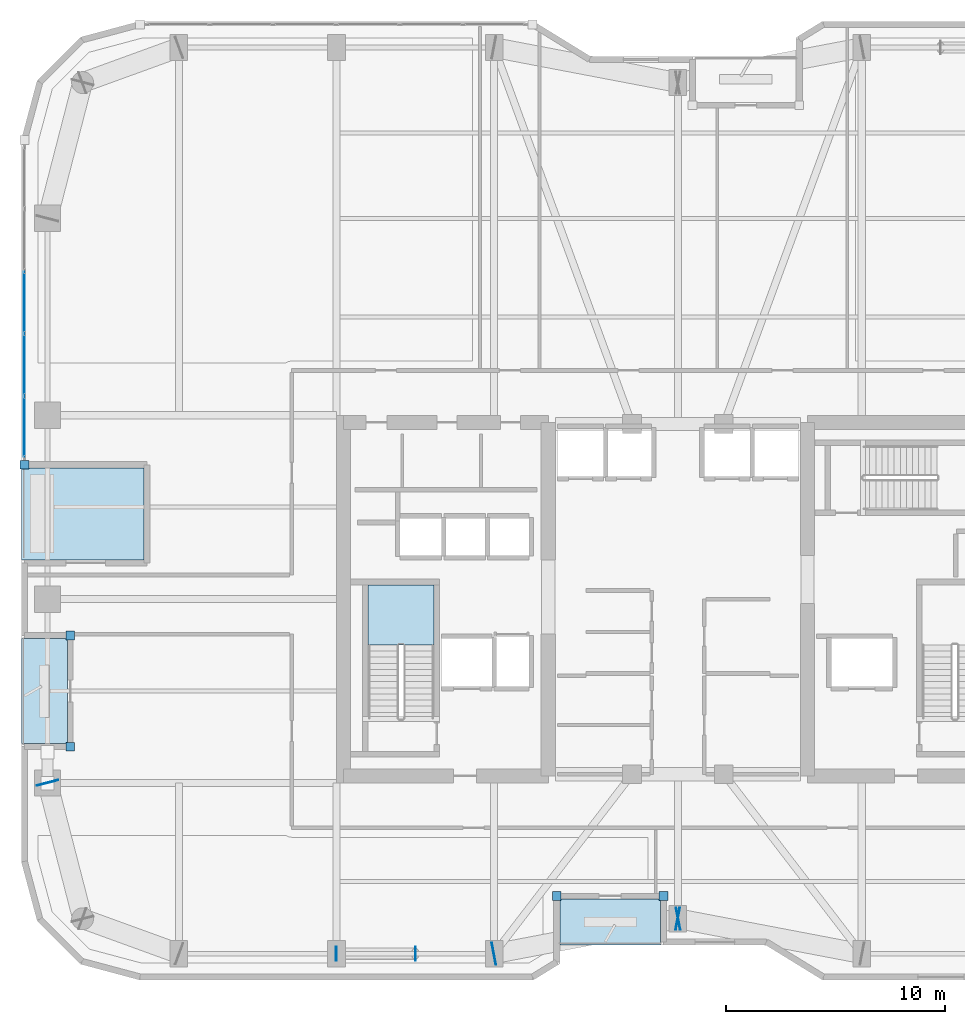
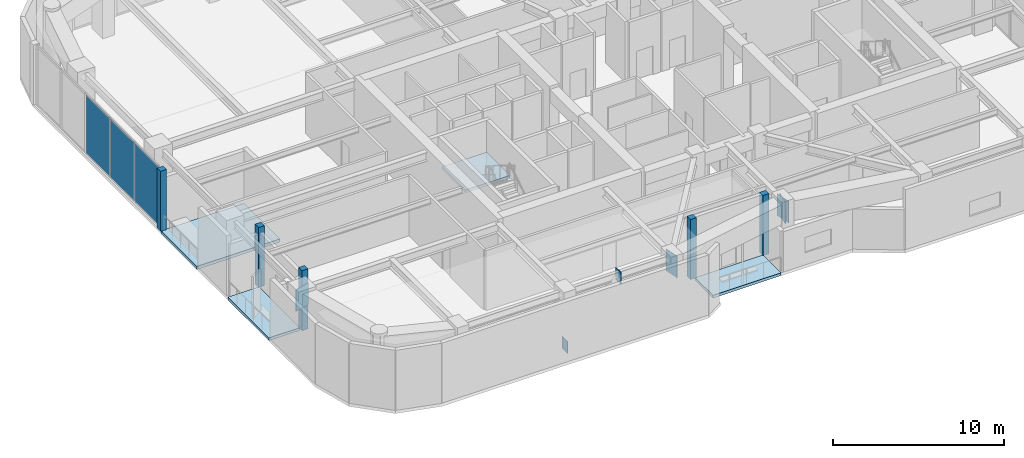
# One storey, part 12 of 21: 14 plates, 4 slabs, 2 elements without a shape of their own.
"""IFC4 building model written with IfcOpenShell, lengths in metres."""

from ifc_helpers import new_model, si_unit, direction, frame, origin, origin_2d, place, context, subcontext, project, spatial, polyline, rectangle, outline, extrude, material, layer, layer_set, type_object, element, aggregate, save


model = new_model("IFC4")

# Units and contexts
model_context = context("Model", 3, precision=1e-05, world=origin(), true_north=direction((0.0, 1.0)))
body_context = subcontext(model_context, "Body", "Model", "MODEL_VIEW")
ifc_project = project(units=[si_unit("LENGTHUNIT", "METRE"), si_unit("AREAUNIT", "SQUARE_METRE"), si_unit("VOLUMEUNIT", "CUBIC_METRE"), si_unit("PLANEANGLEUNIT", "RADIAN"), si_unit("MASSUNIT", "GRAM", prefix="KILO")], contexts=[model_context])

# Site, building, storey
site_placement = place(None, origin())
site = spatial("IfcSite", under=ifc_project, at=site_placement, CompositionType="ELEMENT")
building_placement = place(site_placement, origin())
building = spatial("IfcBuilding", under=site, at=building_placement, Name="Kiyonajd Concourse Tower", CompositionType="ELEMENT")
storey_placement = place(building_placement, frame((0.0, 0.0, 181.800048828125)))
storey = spatial("IfcBuildingStorey", under=building, at=storey_placement, Name="L46", CompositionType="ELEMENT", Elevation=181.800048828125)

# Plates
ifc_material_1 = material(Name="Steel ASTM A572 Grade 50", Category="steel")
ifc_layer_1 = layer(ifc_material_1, 0.028076171875)
ifc_layer_set_1 = layer_set([ifc_layer_1], Name="Steel ASTM A572 Grade 50")
plate_type_1 = type_object("IfcPlateType", Name="PL-CAP-450", PredefinedType="USERDEFINED", material=ifc_layer_set_1)
for number, where, z_axis, x_axis, name in (
    (1, (32.392333984375, 19.800048828125, -0.13818359375), (0.0, 0.0, 1.0), (-1.0, 0.0, 0.0), "L46 Hollow Brace End Cap Plate PBS"),
    (2, (36.0078125, 19.800048828125, 3.50732421875), (0.0, 0.0, 1.0), (1.0, 0.0, 0.0), "L46 Hollow Brace Top Cap Plate PBS"),
):
    element("IfcPlate", number, at=place(storey_placement, frame(where, z_axis=z_axis, x_axis=x_axis)), inside=storey, type_object=plate_type_1, Name=name, ObjectType="CAP PLATE", PredefinedType="USERDEFINED", context=body_context, shape_type="SweptSolid", body=[
        extrude(rectangle(XDim=0.035888671875, YDim=0.6279296875, at=origin_2d()), origin(), (0.0, 0.0, 1.0), 0.861083984375),
    ])
ifc_layer_2 = layer(ifc_material_1, 0.031982421875)
ifc_layer_set_2 = layer_set([ifc_layer_2], Name="Steel ASTM A572 Grade 50")
plate_type_2 = type_object("IfcPlateType", Name="PL-CAP-540", PredefinedType="USERDEFINED", material=ifc_layer_set_2)
for number, where, z_axis, x_axis, name in (
    (3, (19.197265625, 27.610595703125, 2.809814453125), (0.0, 0.0, 1.0), (-0.249873048837, 0.968278606324, 0.0), "L46 Welded Box Girder End Cap"),
    (4, (39.589111328125, 19.7978515625, 2.809814453125), (0.0, 0.0, 1.0), (-0.982352599301, -0.187038420242, 0.0), "L46 Welded Box Girder End Cap"),
    (5, (48.0107421875, 21.402099609375, 2.809814453125), (0.0, 0.0, 1.0), (0.982352599301, 0.187038420242, 0.0), "L46 Welded Box Girder End Cap"),
    (6, (47.9892578125, 21.402099609375, 2.809814453125), (0.0, 0.0, 1.0), (-0.982352599301, 0.187038420242, 0.0), "L46 Welded Box Girder End Cap"),
):
    element("IfcPlate", number, at=place(storey_placement, frame(where, z_axis=z_axis, x_axis=x_axis)), inside=storey, type_object=plate_type_2, Name=name, ObjectType="CAP PLATE", PredefinedType="USERDEFINED", context=body_context, shape_type="SweptSolid", body=[
        extrude(rectangle(XDim=0.035888671875, YDim=1.02001953125, at=origin_2d()), origin(), (0.0, 0.0, 1.0), 1.5400390625),
    ])

# Curtain wall, plates
ifc_material_2 = material(Name="Thermally Broken Anodised Aluminium", Category="aluminium")
ifc_layer_3 = layer(ifc_material_2, 0.179931640625)
ifc_layer_set_3 = layer_set([ifc_layer_3], Name="Thermally Broken Anodised Aluminium")
curtain_wall_type = type_object("IfcCurtainWallType", Name="CW-SYS-05", PredefinedType="NOTDEFINED", material=ifc_layer_set_3)
curtain_wall_placement = place(storey_placement, origin())
curtain_wall = element("IfcCurtainWall", 7, at=curtain_wall_placement, inside=storey, type_object=curtain_wall_type, Name="L46 Unitised Curtain Wall CW5", PredefinedType="NOTDEFINED")
ifc_material_3 = material(Name="Double Low-E Insulated Glass", Category="glass")
ifc_layer_4 = layer(ifc_material_3, 0.0400390625)
ifc_layer_set_4 = layer_set([ifc_layer_4], Name="Double Low-E Insulated Glass")
plate_type_3 = type_object("IfcPlateType", Name="PL-CW-VIS40", PredefinedType="CURTAIN_PANEL", material=ifc_layer_set_4)
plate_1_placement = place(storey_placement, frame((18.139892578125, 43.875, 0.074951171875), z_axis=(0.0, 0.0, 1.0), x_axis=(0.0, 1.0, 0.0)))
plate_1 = element("IfcPlate", 8, at=plate_1_placement, type_object=plate_type_3, Name="CW5 panel 1.1", PredefinedType="CURTAIN_PANEL", context=body_context, shape_type="SweptSolid", body=[
    extrude(rectangle(XDim=2.73974609375, YDim=0.0400390625, at=origin_2d()), origin(), (0.0, 0.0, 1.0), 4.1298828125),
])
plate_2_placement = place(storey_placement, frame((18.139892578125, 46.70849609375, 0.074951171875), z_axis=(0.0, 0.0, 1.0), x_axis=(0.0, 1.0, 0.0)))
plate_2 = element("IfcPlate", 9, at=plate_2_placement, type_object=plate_type_3, Name="CW5 panel 2.1", PredefinedType="CURTAIN_PANEL", context=body_context, shape_type="SweptSolid", body=[
    extrude(rectangle(XDim=2.77734375, YDim=0.0400390625, at=origin_2d()), origin(), (0.0, 0.0, 1.0), 4.1298828125),
])
plate_3_placement = place(storey_placement, frame((18.139892578125, 49.560791015625, 0.074951171875), z_axis=(0.0, 0.0, 1.0), x_axis=(0.0, 1.0, 0.0)))
plate_3 = element("IfcPlate", 10, at=plate_3_placement, type_object=plate_type_3, Name="CW5 panel 3.1", PredefinedType="CURTAIN_PANEL", context=body_context, shape_type="SweptSolid", body=[
    extrude(rectangle(XDim=2.77734375, YDim=0.0400390625, at=origin_2d()), origin(), (0.0, 0.0, 1.0), 4.1298828125),
])
aggregate(curtain_wall, [plate_1, plate_2, plate_3])

# Plates
ifc_layer_5 = layer(ifc_material_2, 0.39990234375)
ifc_layer_set_5 = layer_set([ifc_layer_5], Name="Thermally Broken Anodised Aluminium")
plate_type_4 = type_object("IfcPlateType", Name="PL-JMB-400", PredefinedType="USERDEFINED", material=ifc_layer_set_5)
for number, where, z_axis, x_axis, name in (
    (11, (20.239990234375, 29.260009765625, 0.0), (0.0, 0.0, 1.0), (1.0, 0.0, 0.0), "L46 Facade Jamb Closure Plate 01"),
    (12, (20.239990234375, 34.340087890625, 0.0), (0.0, 0.0, 1.0), (1.0, 0.0, 0.0), "L46 Facade Jamb Closure Plate 02"),
    (13, (18.139892578125, 42.139892578125, 0.0), (0.0, 0.0, 1.0), (1.0, 0.0, 0.0), "L46 Facade Jamb Closure Plate 03"),
    (14, (47.340087890625, 22.43994140625, 0.0), (0.0, 0.0, 1.0), (1.0, 0.0, 0.0), "L46 Facade Jamb Closure Plate 13"),
    (15, (42.4599609375, 22.43994140625, 0.0), (0.0, 0.0, 1.0), (1.0, 0.0, 0.0), "L46 Facade Jamb Closure Plate 14"),
):
    element("IfcPlate", number, at=place(storey_placement, frame(where, z_axis=z_axis, x_axis=x_axis)), inside=storey, type_object=plate_type_4, Name=name, ObjectType="JAMB PLATE", PredefinedType="USERDEFINED", context=body_context, shape_type="SweptSolid", body=[
        extrude(rectangle(XDim=0.39990234375, YDim=0.39990234375, at=origin_2d()), origin(), (0.0, 0.0, 1.0), 4.280029296875),
    ])

# Stair, slab
ifc_material_4 = material(Name="Concrete C40/50", Category="concrete")
stair_type = type_object("IfcStairType", Name="ST-DLG-26R", PredefinedType="HALF_TURN_STAIR", material=ifc_material_4)
stair_placement = place(storey_placement, origin())
stair = element("IfcStair", 16, at=stair_placement, inside=storey, type_object=stair_type, Name="L46 Protected Exit Stair ST1", PredefinedType="HALF_TURN_STAIR")
ifc_layer_6 = layer(ifc_material_4, 0.199951171875)
ifc_layer_set_6 = layer_set([ifc_layer_6], Name="Concrete C40/50")
slab_type_1 = type_object("IfcSlabType", Name="SL-LND-200", PredefinedType="LANDING", material=ifc_layer_set_6)
slab_1_placement = place(storey_placement, frame((0.0, 0.0, 2.050048828125)))
slab_1 = element("IfcSlab", 17, at=slab_1_placement, type_object=slab_type_1, Name="ST1 landing 1", PredefinedType="LANDING", context=body_context, shape_type="SweptSolid", body=[
    extrude(outline(polyline([(36.85009765625, 33.909912109375), (36.85009765625, 36.64990234375), (33.85009765625, 36.64990234375), (33.85009765625, 33.909912109375), (36.85009765625, 33.909912109375)])), origin(), (0.0, 0.0, 1.0), 0.199951171875),
])
aggregate(stair, [slab_1])

# Slabs
ifc_material_5 = material(Name="Precast concrete C50/60", Category="concrete")
ifc_layer_7 = layer(ifc_material_5, 0.199951171875)
ifc_layer_set_7 = layer_set([ifc_layer_7], Name="Precast concrete C50/60")
slab_type_2 = type_object("IfcSlabType", Name="SL-LOG-200", PredefinedType="FLOOR", material=ifc_layer_set_7)
slab_2_placement = place(storey_placement, frame((0.0, 0.0, -0.199951171875)))
element("IfcSlab", 18, at=slab_2_placement, inside=storey, type_object=slab_type_2, Name="L46 Recessed Engawa Loggia Terrace Slab LOG-S", PredefinedType="FLOOR", context=body_context, shape_type="SweptSolid", body=[
    extrude(outline(polyline([(42.60009765625, 20.199951171875), (47.199951171875, 20.199951171875), (47.199951171875, 22.300048828125), (42.60009765625, 22.300048828125), (42.60009765625, 20.199951171875)])), origin(), (0.0, 0.0, 1.0), 0.199951171875),
])
slab_3_placement = place(storey_placement, frame((0.0, 0.0, -0.199951171875)))
element("IfcSlab", 19, at=slab_3_placement, inside=storey, type_object=slab_type_2, Name="L46 Recessed Engawa Loggia Terrace Slab LOG-W", PredefinedType="FLOOR", context=body_context, shape_type="SweptSolid", body=[
    extrude(outline(polyline([(18.0, 29.39990234375), (20.10009765625, 29.39990234375), (20.10009765625, 34.199951171875), (18.0, 34.199951171875), (18.0, 29.39990234375)])), origin(), (0.0, 0.0, 1.0), 0.199951171875),
])
ifc_material_6 = material(Name="Concrete C50/60", Category="concrete")
ifc_layer_8 = layer(ifc_material_6, 0.219970703125)
ifc_layer_set_8 = layer_set([ifc_layer_8], Name="Concrete C50/60")
slab_type_3 = type_object("IfcSlabType", Name="SL-SKY-220", PredefinedType="FLOOR", material=ifc_layer_set_8)
slab_4_placement = place(storey_placement, frame((0.0, 0.0, -0.219970703125)))
element("IfcSlab", 20, at=slab_4_placement, inside=storey, type_object=slab_type_3, Name="L46 West Ribbon Sky Garden Terrace Slab", PredefinedType="FLOOR", context=body_context, shape_type="SweptSolid", body=[
    extrude(outline(polyline([(18.0, 37.800048828125), (23.60009765625, 37.800048828125), (23.60009765625, 42.0), (18.0, 42.0), (18.0, 37.800048828125)])), origin(), (0.0, 0.0, 1.0), 0.219970703125),
])

save(model, "model.ifc")
